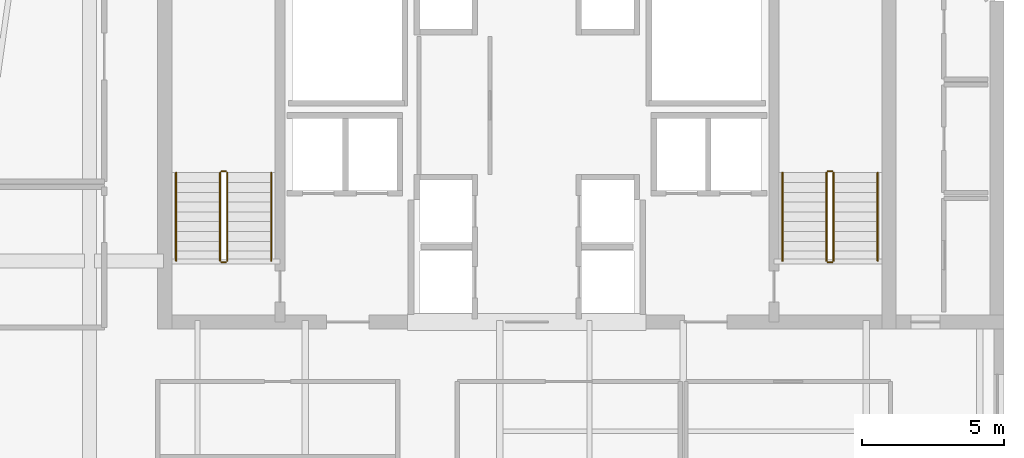
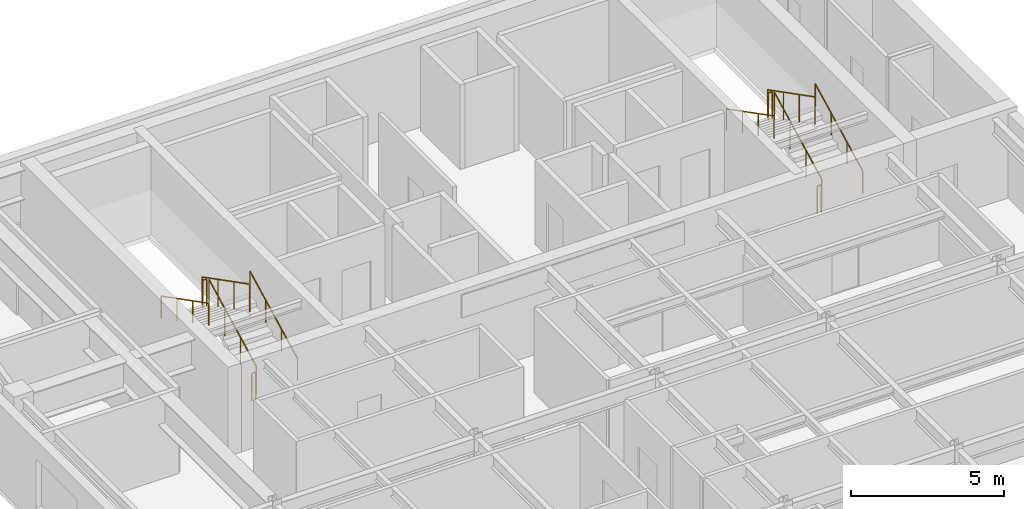
# One storey, part 8 of 8: 12 railings.
"""IFC4 building model written with IfcOpenShell, lengths in metres."""

from ifc_helpers import new_model, si_unit, direction, frame, origin, origin_2d, place, context, subcontext, project, spatial, circle, extrude, material, type_object, element, save


model = new_model("IFC4")

# Units and contexts
model_context = context("Model", 3, precision=1e-05, world=origin(), true_north=direction((0.0, 1.0)))
body_context = subcontext(model_context, "Body", "Model", "MODEL_VIEW")
ifc_project = project(units=[si_unit("LENGTHUNIT", "METRE"), si_unit("AREAUNIT", "SQUARE_METRE"), si_unit("VOLUMEUNIT", "CUBIC_METRE"), si_unit("PLANEANGLEUNIT", "RADIAN"), si_unit("MASSUNIT", "GRAM", prefix="KILO")], contexts=[model_context])

# Site, building, storey
site_placement = place(None, origin())
site = spatial("IfcSite", under=ifc_project, at=site_placement, CompositionType="ELEMENT")
building_placement = place(site_placement, origin())
building = spatial("IfcBuilding", under=site, at=building_placement, Name="Tolvann Quenvar Hotel", CompositionType="ELEMENT")
storey_placement = place(building_placement, frame((0.0, 0.0, 231.0)))
storey = spatial("IfcBuildingStorey", under=building, at=storey_placement, Name="L61", CompositionType="ELEMENT", Elevation=231.0)

# Railings
ifc_material = material(Name="Brushed 316 stainless steel balustrade and handrail", Category="steel")
railing_type_1 = type_object("IfcRailingType", Name="GUARDRAIL", PredefinedType="GUARDRAIL", material=ifc_material)
railing_1_placement = place(storey_placement, frame((12.449951171875, 34.0, 0.177490234375)))
element("IfcRailing", 1, at=railing_1_placement, inside=storey, type_object=railing_type_1, Name="L61 ST-C1 stair guard 1", PredefinedType="GUARDRAIL", context=body_context, shape_type="SweptSolid", body=[
    extrude(circle(Radius=0.02392578125, at=origin_2d()), frame((0.0, 0.0, 1.09619140625), z_axis=(0.0, 0.889221982265, 0.45747597342), x_axis=(-1.0, 0.0, 0.0)), (0.0, 0.0, 1.0), 3.49169921875),
    extrude(circle(Radius=0.02099609375, at=origin_2d()), origin(), (0.0, 0.0, 1.0), 1.072021484375),
    extrude(circle(Radius=0.02099609375, at=origin_2d()), frame((0.0, 1.034912109375, 0.532470703125)), (0.0, 0.0, 1.0), 1.072021484375),
    extrude(circle(Radius=0.02099609375, at=origin_2d()), frame((0.0, 2.070068359375, 1.06494140625)), (0.0, 0.0, 1.0), 1.072021484375),
    extrude(circle(Radius=0.02099609375, at=origin_2d()), frame((0.0, 3.10498046875, 1.597412109375)), (0.0, 0.0, 1.0), 1.072021484375),
])
railing_2_placement = place(storey_placement, frame((12.39990234375, 37.155029296875, 1.77490234375)))
element("IfcRailing", 2, at=railing_2_placement, inside=storey, type_object=railing_type_1, Name="L61 ST-C1 stair guard 2", PredefinedType="GUARDRAIL", context=body_context, shape_type="SweptSolid", body=[
    extrude(circle(Radius=0.02392578125, at=origin_2d()), frame((0.0, 0.0, 1.09619140625), z_axis=(-1.0, 0.0, 0.0), x_axis=(0.0, -1.0, 0.0)), (0.0, 0.0, 1.0), 0.14990234375),
    extrude(circle(Radius=0.02099609375, at=origin_2d()), origin(), (0.0, 0.0, 1.0), 1.072021484375),
    extrude(circle(Radius=0.02099609375, at=origin_2d()), frame((-0.14990234375, 0.0, 0.0)), (0.0, 0.0, 1.0), 1.072021484375),
])
railing_3_placement = place(storey_placement, frame((12.199951171875, 37.10498046875, 1.952392578125)))
element("IfcRailing", 3, at=railing_3_placement, inside=storey, type_object=railing_type_1, Name="L61 ST-C1 stair guard 3", PredefinedType="GUARDRAIL", context=body_context, shape_type="SweptSolid", body=[
    extrude(circle(Radius=0.02392578125, at=origin_2d()), frame((0.0, 0.0, 1.09619140625), z_axis=(0.0, -0.88919353882, 0.457531256332), x_axis=(1.0, 0.0, 0.0)), (0.0, 0.0, 1.0), 3.491943359375),
    extrude(circle(Radius=0.02099609375, at=origin_2d()), origin(), (0.0, 0.0, 1.0), 1.072021484375),
    extrude(circle(Radius=0.02099609375, at=origin_2d()), frame((0.0, -1.034912109375, 0.532470703125)), (0.0, 0.0, 1.0), 1.072021484375),
    extrude(circle(Radius=0.02099609375, at=origin_2d()), frame((0.0, -2.070068359375, 1.065185546875)), (0.0, 0.0, 1.0), 1.072021484375),
    extrude(circle(Radius=0.02099609375, at=origin_2d()), frame((0.0, -3.10498046875, 1.59765625)), (0.0, 0.0, 1.0), 1.072021484375),
])
railing_4_placement = place(storey_placement, frame((12.39990234375, 33.949951171875, 0.0)))
element("IfcRailing", 4, at=railing_4_placement, inside=storey, type_object=railing_type_1, Name="L61 ST-C1 stair guard 4", PredefinedType="GUARDRAIL", context=body_context, shape_type="SweptSolid", body=[
    extrude(circle(Radius=0.02392578125, at=origin_2d()), frame((0.0, 0.0, 1.09619140625), z_axis=(-1.0, 0.0, 0.0), x_axis=(0.0, -1.0, 0.0)), (0.0, 0.0, 1.0), 0.14990234375),
    extrude(circle(Radius=0.02099609375, at=origin_2d()), origin(), (0.0, 0.0, 1.0), 1.072021484375),
    extrude(circle(Radius=0.02099609375, at=origin_2d()), frame((-0.14990234375, 0.0, 0.0)), (0.0, 0.0, 1.0), 1.072021484375),
])
railing_5_placement = place(storey_placement, frame((33.800048828125, 34.0, 0.177490234375)))
element("IfcRailing", 5, at=railing_5_placement, inside=storey, type_object=railing_type_1, Name="L61 ST-C2 stair guard 1", PredefinedType="GUARDRAIL", context=body_context, shape_type="SweptSolid", body=[
    extrude(circle(Radius=0.02392578125, at=origin_2d()), frame((0.0, 0.0, 1.09619140625), z_axis=(0.0, 0.889221982265, 0.45747597342), x_axis=(-1.0, 0.0, 0.0)), (0.0, 0.0, 1.0), 3.49169921875),
    extrude(circle(Radius=0.02099609375, at=origin_2d()), origin(), (0.0, 0.0, 1.0), 1.072021484375),
    extrude(circle(Radius=0.02099609375, at=origin_2d()), frame((0.0, 1.034912109375, 0.532470703125)), (0.0, 0.0, 1.0), 1.072021484375),
    extrude(circle(Radius=0.02099609375, at=origin_2d()), frame((0.0, 2.070068359375, 1.06494140625)), (0.0, 0.0, 1.0), 1.072021484375),
    extrude(circle(Radius=0.02099609375, at=origin_2d()), frame((0.0, 3.10498046875, 1.597412109375)), (0.0, 0.0, 1.0), 1.072021484375),
])
railing_6_placement = place(storey_placement, frame((33.75, 37.155029296875, 1.77490234375)))
element("IfcRailing", 6, at=railing_6_placement, inside=storey, type_object=railing_type_1, Name="L61 ST-C2 stair guard 2", PredefinedType="GUARDRAIL", context=body_context, shape_type="SweptSolid", body=[
    extrude(circle(Radius=0.02392578125, at=origin_2d()), frame((0.0, 0.0, 1.09619140625), z_axis=(-1.0, 0.0, 0.0), x_axis=(0.0, -1.0, 0.0)), (0.0, 0.0, 1.0), 0.14990234375),
    extrude(circle(Radius=0.02099609375, at=origin_2d()), origin(), (0.0, 0.0, 1.0), 1.072021484375),
    extrude(circle(Radius=0.02099609375, at=origin_2d()), frame((-0.14990234375, 0.0, 0.0)), (0.0, 0.0, 1.0), 1.072021484375),
])
railing_7_placement = place(storey_placement, frame((33.550048828125, 37.10498046875, 1.952392578125)))
element("IfcRailing", 7, at=railing_7_placement, inside=storey, type_object=railing_type_1, Name="L61 ST-C2 stair guard 3", PredefinedType="GUARDRAIL", context=body_context, shape_type="SweptSolid", body=[
    extrude(circle(Radius=0.02392578125, at=origin_2d()), frame((0.0, 0.0, 1.09619140625), z_axis=(0.0, -0.88919353882, 0.457531256332), x_axis=(1.0, 0.0, 0.0)), (0.0, 0.0, 1.0), 3.491943359375),
    extrude(circle(Radius=0.02099609375, at=origin_2d()), origin(), (0.0, 0.0, 1.0), 1.072021484375),
    extrude(circle(Radius=0.02099609375, at=origin_2d()), frame((0.0, -1.034912109375, 0.532470703125)), (0.0, 0.0, 1.0), 1.072021484375),
    extrude(circle(Radius=0.02099609375, at=origin_2d()), frame((0.0, -2.070068359375, 1.065185546875)), (0.0, 0.0, 1.0), 1.072021484375),
    extrude(circle(Radius=0.02099609375, at=origin_2d()), frame((0.0, -3.10498046875, 1.59765625)), (0.0, 0.0, 1.0), 1.072021484375),
])
railing_8_placement = place(storey_placement, frame((33.75, 33.949951171875, 0.0)))
element("IfcRailing", 8, at=railing_8_placement, inside=storey, type_object=railing_type_1, Name="L61 ST-C2 stair guard 4", PredefinedType="GUARDRAIL", context=body_context, shape_type="SweptSolid", body=[
    extrude(circle(Radius=0.02392578125, at=origin_2d()), frame((0.0, 0.0, 1.09619140625), z_axis=(-1.0, 0.0, 0.0), x_axis=(0.0, -1.0, 0.0)), (0.0, 0.0, 1.0), 0.14990234375),
    extrude(circle(Radius=0.02099609375, at=origin_2d()), origin(), (0.0, 0.0, 1.0), 1.072021484375),
    extrude(circle(Radius=0.02099609375, at=origin_2d()), frame((-0.14990234375, 0.0, 0.0)), (0.0, 0.0, 1.0), 1.072021484375),
])
railing_type_2 = type_object("IfcRailingType", Name="HANDRAIL", PredefinedType="HANDRAIL", material=ifc_material)
railing_9_placement = place(storey_placement, frame((14.0, 34.0, 0.177490234375)))
element("IfcRailing", 9, at=railing_9_placement, inside=storey, type_object=railing_type_2, Name="L61 ST-C1 stair handrail 1", PredefinedType="HANDRAIL", context=body_context, shape_type="SweptSolid", body=[
    extrude(circle(Radius=0.02392578125, at=origin_2d()), frame((0.0, 0.0, 0.8759765625), z_axis=(0.0, 0.889221982265, 0.45747597342), x_axis=(-1.0, 0.0, 0.0)), (0.0, 0.0, 1.0), 3.49169921875),
    extrude(circle(Radius=0.02099609375, at=origin_2d()), origin(), (0.0, 0.0, 1.0), 0.851806640625),
    extrude(circle(Radius=0.02099609375, at=origin_2d()), frame((0.0, 1.034912109375, 0.532470703125)), (0.0, 0.0, 1.0), 0.851806640625),
    extrude(circle(Radius=0.02099609375, at=origin_2d()), frame((0.0, 2.070068359375, 1.06494140625)), (0.0, 0.0, 1.0), 0.851806640625),
    extrude(circle(Radius=0.02099609375, at=origin_2d()), frame((0.0, 3.10498046875, 1.597412109375)), (0.0, 0.0, 1.0), 0.851806640625),
])
railing_10_placement = place(storey_placement, frame((10.64990234375, 37.10498046875, 1.952392578125)))
element("IfcRailing", 10, at=railing_10_placement, inside=storey, type_object=railing_type_2, Name="L61 ST-C1 stair handrail 2", PredefinedType="HANDRAIL", context=body_context, shape_type="SweptSolid", body=[
    extrude(circle(Radius=0.02392578125, at=origin_2d()), frame((0.0, 0.0, 0.8759765625), z_axis=(0.0, -0.88919353882, 0.457531256332), x_axis=(1.0, 0.0, 0.0)), (0.0, 0.0, 1.0), 3.491943359375),
    extrude(circle(Radius=0.02099609375, at=origin_2d()), origin(), (0.0, 0.0, 1.0), 0.851806640625),
    extrude(circle(Radius=0.02099609375, at=origin_2d()), frame((0.0, -1.034912109375, 0.532470703125)), (0.0, 0.0, 1.0), 0.851806640625),
    extrude(circle(Radius=0.02099609375, at=origin_2d()), frame((0.0, -2.070068359375, 1.065185546875)), (0.0, 0.0, 1.0), 0.851806640625),
    extrude(circle(Radius=0.02099609375, at=origin_2d()), frame((0.0, -3.10498046875, 1.59765625)), (0.0, 0.0, 1.0), 0.851806640625),
])
railing_11_placement = place(storey_placement, frame((35.35009765625, 34.0, 0.177490234375)))
element("IfcRailing", 11, at=railing_11_placement, inside=storey, type_object=railing_type_2, Name="L61 ST-C2 stair handrail 1", PredefinedType="HANDRAIL", context=body_context, shape_type="SweptSolid", body=[
    extrude(circle(Radius=0.02392578125, at=origin_2d()), frame((0.0, 0.0, 0.8759765625), z_axis=(0.0, 0.889221982265, 0.45747597342), x_axis=(-1.0, 0.0, 0.0)), (0.0, 0.0, 1.0), 3.49169921875),
    extrude(circle(Radius=0.02099609375, at=origin_2d()), origin(), (0.0, 0.0, 1.0), 0.851806640625),
    extrude(circle(Radius=0.02099609375, at=origin_2d()), frame((0.0, 1.034912109375, 0.532470703125)), (0.0, 0.0, 1.0), 0.851806640625),
    extrude(circle(Radius=0.02099609375, at=origin_2d()), frame((0.0, 2.070068359375, 1.06494140625)), (0.0, 0.0, 1.0), 0.851806640625),
    extrude(circle(Radius=0.02099609375, at=origin_2d()), frame((0.0, 3.10498046875, 1.597412109375)), (0.0, 0.0, 1.0), 0.851806640625),
])
railing_12_placement = place(storey_placement, frame((32.0, 37.10498046875, 1.952392578125)))
element("IfcRailing", 12, at=railing_12_placement, inside=storey, type_object=railing_type_2, Name="L61 ST-C2 stair handrail 2", PredefinedType="HANDRAIL", context=body_context, shape_type="SweptSolid", body=[
    extrude(circle(Radius=0.02392578125, at=origin_2d()), frame((0.0, 0.0, 0.8759765625), z_axis=(0.0, -0.88919353882, 0.457531256332), x_axis=(1.0, 0.0, 0.0)), (0.0, 0.0, 1.0), 3.491943359375),
    extrude(circle(Radius=0.02099609375, at=origin_2d()), origin(), (0.0, 0.0, 1.0), 0.851806640625),
    extrude(circle(Radius=0.02099609375, at=origin_2d()), frame((0.0, -1.034912109375, 0.532470703125)), (0.0, 0.0, 1.0), 0.851806640625),
    extrude(circle(Radius=0.02099609375, at=origin_2d()), frame((0.0, -2.070068359375, 1.065185546875)), (0.0, 0.0, 1.0), 0.851806640625),
    extrude(circle(Radius=0.02099609375, at=origin_2d()), frame((0.0, -3.10498046875, 1.59765625)), (0.0, 0.0, 1.0), 0.851806640625),
])

save(model, "model.ifc")
